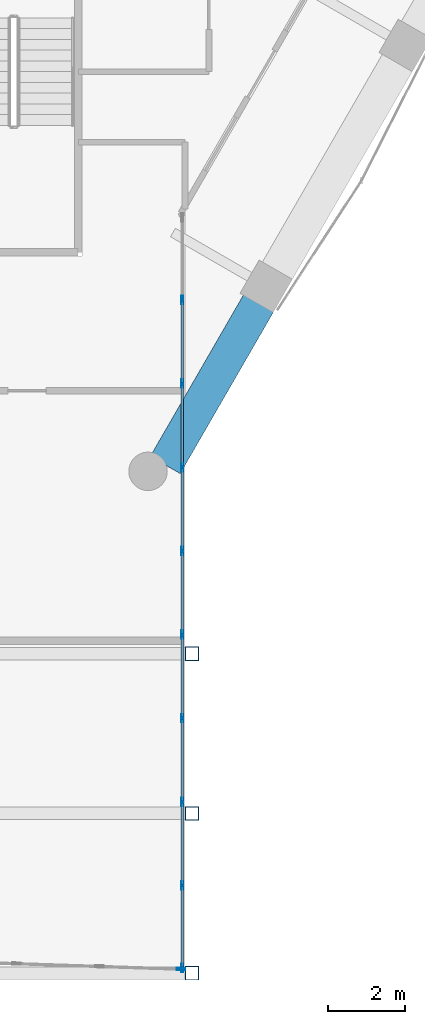
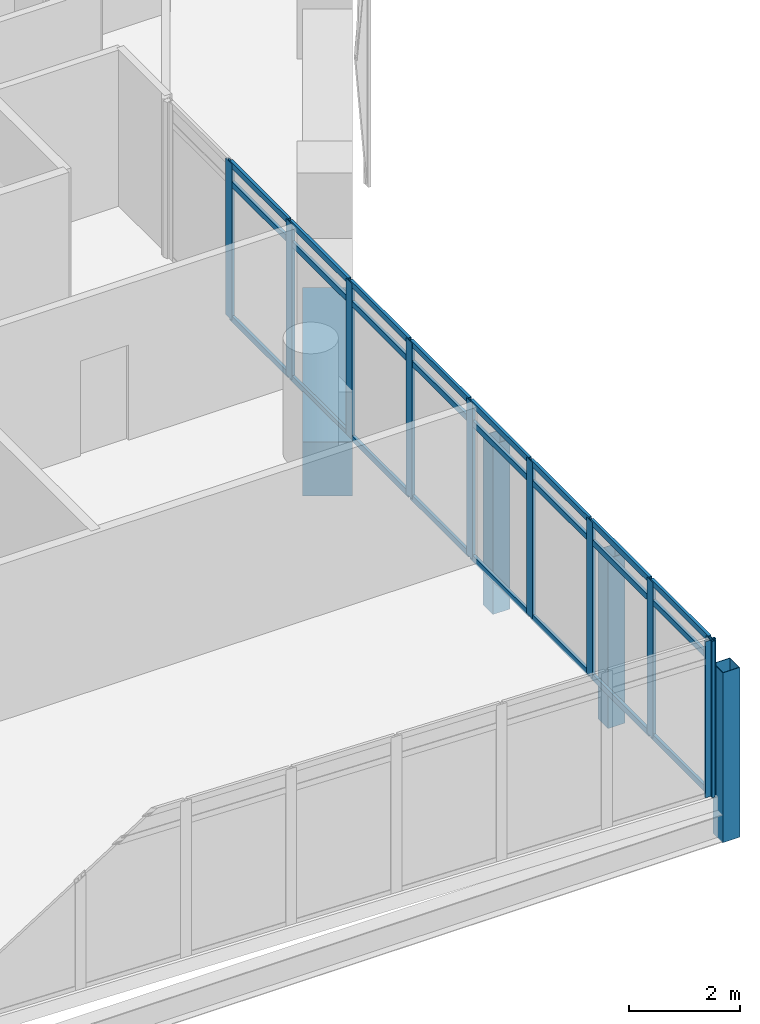
# One storey, part 11 of 37: 37 members, 1 beam, 2 elements without a shape of their own.
"""IFC4 building model written with IfcOpenShell, lengths in metres."""

from ifc_helpers import new_model, si_unit, direction, frame, origin, origin_2d, place, context, subcontext, project, spatial, rectangle, hollow_rectangle, extrude, material, material_profile, profile_set, type_object, element, aggregate, save


model = new_model("IFC4")

# Units and contexts
model_context = context("Model", 3, precision=1e-05, world=origin(), true_north=direction((0.0, 1.0)))
body_context = subcontext(model_context, "Body", "Model", "MODEL_VIEW")
ifc_project = project(units=[si_unit("LENGTHUNIT", "METRE"), si_unit("AREAUNIT", "SQUARE_METRE"), si_unit("VOLUMEUNIT", "CUBIC_METRE"), si_unit("PLANEANGLEUNIT", "RADIAN"), si_unit("MASSUNIT", "GRAM", prefix="KILO")], contexts=[model_context])

# Site, building, storey
site_placement = place(None, origin())
site = spatial("IfcSite", under=ifc_project, at=site_placement, CompositionType="ELEMENT")
building_placement = place(site_placement, origin())
building = spatial("IfcBuilding", under=site, at=building_placement, Name="Ostrander Bayou Hotel Tower", CompositionType="ELEMENT")
storey_placement = place(building_placement, frame((0.0, 0.0, 198.25)))
storey = spatial("IfcBuildingStorey", under=building, at=storey_placement, Name="L49", CompositionType="ELEMENT", Elevation=198.25)

# Curtain wall, member
ifc_material_1 = material(Name="Aluminium and clear glass", Category="aluminium")
curtain_wall_type = type_object("IfcCurtainWallType", Name="CW-BAR glazed wall", PredefinedType="NOTDEFINED", material=ifc_material_1)
curtain_wall_1_placement = place(storey_placement, origin())
curtain_wall_1 = element("IfcCurtainWall", 1, at=curtain_wall_1_placement, inside=storey, type_object=curtain_wall_type, Name="CW-BAR L49:SB4S:T", PredefinedType="NOTDEFINED")
ifc_material_2 = material(Name="Aluminium", Category="aluminium")
ifc_material_profile_1 = material_profile(ifc_material_2, hollow_rectangle(XDim=0.06005859375, YDim=0.219970703125, WallThickness=0.00390625, at=origin_2d()))
ifc_profile_set_1 = profile_set([ifc_material_profile_1], Name="Aluminium")
member_type_1 = type_object("IfcMemberType", Name="CW-BR mullion 60 x 220 mm", PredefinedType="MULLION", material=ifc_profile_set_1)
member_1_placement = place(storey_placement, frame((11.8271484375, -30.04638671875, 0.0), z_axis=(0.0, 0.0, 1.0), x_axis=(0.03350511268, 0.999438546097, 0.0)))
member_1 = element("IfcMember", 2, at=member_1_placement, type_object=member_type_1, Name="CW-BAR mullion 12", PredefinedType="MULLION", context=body_context, shape_type="SweptSolid", body=[
    extrude(hollow_rectangle(XDim=0.06005859375, YDim=0.219970703125, WallThickness=0.00390625, at=origin_2d()), origin(), (0.0, 0.0, 1.0), 3.449951171875),
])
aggregate(curtain_wall_1, [member_1])

# Curtain wall, members
curtain_wall_2_placement = place(storey_placement, origin())
curtain_wall_2 = element("IfcCurtainWall", 3, at=curtain_wall_2_placement, inside=storey, type_object=curtain_wall_type, Name="CW-BAR L49:SB4S:W", PredefinedType="NOTDEFINED")
member_2_placement = place(storey_placement, frame((11.857177734375, -12.638671875, 0.0), z_axis=(0.0, 0.0, 1.0), x_axis=(1.0, 0.0, 0.0)))
member_2 = element("IfcMember", 4, at=member_2_placement, type_object=member_type_1, Name="CW-BAR mullion 2", PredefinedType="MULLION", context=body_context, shape_type="SweptSolid", body=[
    extrude(hollow_rectangle(XDim=0.06005859375, YDim=0.219970703125, WallThickness=0.00390625, at=origin_2d()), origin(), (0.0, 0.0, 1.0), 3.449951171875),
])
member_3_placement = place(storey_placement, frame((11.857177734375, -14.81494140625, 0.0), z_axis=(0.0, 0.0, 1.0), x_axis=(1.0, 0.0, 0.0)))
member_3 = element("IfcMember", 5, at=member_3_placement, type_object=member_type_1, Name="CW-BAR mullion 3", PredefinedType="MULLION", context=body_context, shape_type="SweptSolid", body=[
    extrude(hollow_rectangle(XDim=0.06005859375, YDim=0.219970703125, WallThickness=0.00390625, at=origin_2d()), origin(), (0.0, 0.0, 1.0), 3.449951171875),
])
member_4_placement = place(storey_placement, frame((11.857177734375, -16.990966796875, 0.0), z_axis=(0.0, 0.0, 1.0), x_axis=(1.0, 0.0, 0.0)))
member_4 = element("IfcMember", 6, at=member_4_placement, type_object=member_type_1, Name="CW-BAR mullion 4", PredefinedType="MULLION", context=body_context, shape_type="SweptSolid", body=[
    extrude(hollow_rectangle(XDim=0.06005859375, YDim=0.219970703125, WallThickness=0.00390625, at=origin_2d()), origin(), (0.0, 0.0, 1.0), 3.449951171875),
])
member_5_placement = place(storey_placement, frame((11.857177734375, -19.1669921875, 0.0), z_axis=(0.0, 0.0, 1.0), x_axis=(1.0, 0.0, 0.0)))
member_5 = element("IfcMember", 7, at=member_5_placement, type_object=member_type_1, Name="CW-BAR mullion 5", PredefinedType="MULLION", context=body_context, shape_type="SweptSolid", body=[
    extrude(hollow_rectangle(XDim=0.06005859375, YDim=0.219970703125, WallThickness=0.00390625, at=origin_2d()), origin(), (0.0, 0.0, 1.0), 3.449951171875),
])
member_6_placement = place(storey_placement, frame((11.857177734375, -21.34326171875, 0.0), z_axis=(0.0, 0.0, 1.0), x_axis=(1.0, 0.0, 0.0)))
member_6 = element("IfcMember", 8, at=member_6_placement, type_object=member_type_1, Name="CW-BAR mullion 6", PredefinedType="MULLION", context=body_context, shape_type="SweptSolid", body=[
    extrude(hollow_rectangle(XDim=0.06005859375, YDim=0.219970703125, WallThickness=0.00390625, at=origin_2d()), origin(), (0.0, 0.0, 1.0), 3.449951171875),
])
member_7_placement = place(storey_placement, frame((11.857177734375, -23.519287109375, 0.0), z_axis=(0.0, 0.0, 1.0), x_axis=(1.0, 0.0, 0.0)))
member_7 = element("IfcMember", 9, at=member_7_placement, type_object=member_type_1, Name="CW-BAR mullion 7", PredefinedType="MULLION", context=body_context, shape_type="SweptSolid", body=[
    extrude(hollow_rectangle(XDim=0.06005859375, YDim=0.219970703125, WallThickness=0.00390625, at=origin_2d()), origin(), (0.0, 0.0, 1.0), 3.449951171875),
])
member_8_placement = place(storey_placement, frame((11.857177734375, -25.6953125, 0.0), z_axis=(0.0, 0.0, 1.0), x_axis=(1.0, 0.0, 0.0)))
member_8 = element("IfcMember", 10, at=member_8_placement, type_object=member_type_1, Name="CW-BAR mullion 8", PredefinedType="MULLION", context=body_context, shape_type="SweptSolid", body=[
    extrude(hollow_rectangle(XDim=0.06005859375, YDim=0.219970703125, WallThickness=0.00390625, at=origin_2d()), origin(), (0.0, 0.0, 1.0), 3.449951171875),
])
member_9_placement = place(storey_placement, frame((11.857177734375, -27.871337890625, 0.0), z_axis=(0.0, 0.0, 1.0), x_axis=(1.0, 0.0, 0.0)))
member_9 = element("IfcMember", 11, at=member_9_placement, type_object=member_type_1, Name="CW-BAR mullion 9", PredefinedType="MULLION", context=body_context, shape_type="SweptSolid", body=[
    extrude(hollow_rectangle(XDim=0.06005859375, YDim=0.219970703125, WallThickness=0.00390625, at=origin_2d()), origin(), (0.0, 0.0, 1.0), 3.449951171875),
])
member_10_placement = place(storey_placement, frame((11.857177734375, -30.017578125, 0.0), z_axis=(0.0, 0.0, 1.0), x_axis=(1.0, 0.0, 0.0)))
member_10 = element("IfcMember", 12, at=member_10_placement, type_object=member_type_1, Name="CW-BAR mullion 10", PredefinedType="MULLION", context=body_context, shape_type="SweptSolid", body=[
    extrude(hollow_rectangle(XDim=0.06005859375, YDim=0.219970703125, WallThickness=0.00390625, at=origin_2d()), origin(), (0.0, 0.0, 1.0), 3.449951171875),
])
ifc_material_3 = material(Name="Aluminium", Category="aluminium")
ifc_material_profile_2 = material_profile(ifc_material_3, hollow_rectangle(XDim=0.06005859375, YDim=0.1298828125, WallThickness=0.00390625, at=origin_2d()))
ifc_profile_set_2 = profile_set([ifc_material_profile_2], Name="Aluminium")
member_type_2 = type_object("IfcMemberType", Name="CW-BR transom 60 x 130 mm", PredefinedType="USERDEFINED", material=ifc_profile_set_2)
member_11_placement = place(storey_placement, frame((11.857177734375, -12.668701171875, 0.030029296875), z_axis=(0.0, -1.0, 0.0), x_axis=(1.0, 0.0, 0.0)))
member_11 = element("IfcMember", 13, at=member_11_placement, type_object=member_type_2, Name="CW-BAR transom 2.1", ObjectType="TRANSOM", PredefinedType="USERDEFINED", context=body_context, shape_type="SweptSolid", body=[
    extrude(hollow_rectangle(XDim=0.06005859375, YDim=0.1298828125, WallThickness=0.00390625, at=origin_2d()), origin(), (0.0, 0.0, 1.0), 2.1162109375),
])
member_12_placement = place(storey_placement, frame((11.857177734375, -12.668701171875, 3.0), z_axis=(0.0, -1.0, 0.0), x_axis=(1.0, 0.0, 0.0)))
member_12 = element("IfcMember", 14, at=member_12_placement, type_object=member_type_2, Name="CW-BAR transom 2.2", ObjectType="TRANSOM", PredefinedType="USERDEFINED", context=body_context, shape_type="SweptSolid", body=[
    extrude(hollow_rectangle(XDim=0.06005859375, YDim=0.1298828125, WallThickness=0.00390625, at=origin_2d()), origin(), (0.0, 0.0, 1.0), 2.1162109375),
])
member_13_placement = place(storey_placement, frame((11.857177734375, -12.668701171875, 3.419921875), z_axis=(0.0, -1.0, 0.0), x_axis=(1.0, 0.0, 0.0)))
member_13 = element("IfcMember", 15, at=member_13_placement, type_object=member_type_2, Name="CW-BAR transom 2.3", ObjectType="TRANSOM", PredefinedType="USERDEFINED", context=body_context, shape_type="SweptSolid", body=[
    extrude(hollow_rectangle(XDim=0.06005859375, YDim=0.1298828125, WallThickness=0.00390625, at=origin_2d()), origin(), (0.0, 0.0, 1.0), 2.1162109375),
])
member_14_placement = place(storey_placement, frame((11.857177734375, -14.844970703125, 0.030029296875), z_axis=(0.0, -1.0, 0.0), x_axis=(1.0, 0.0, 0.0)))
member_14 = element("IfcMember", 16, at=member_14_placement, type_object=member_type_2, Name="CW-BAR transom 3.1", ObjectType="TRANSOM", PredefinedType="USERDEFINED", context=body_context, shape_type="SweptSolid", body=[
    extrude(hollow_rectangle(XDim=0.06005859375, YDim=0.1298828125, WallThickness=0.00390625, at=origin_2d()), origin(), (0.0, 0.0, 1.0), 2.115966796875),
])
member_15_placement = place(storey_placement, frame((11.857177734375, -14.844970703125, 3.0), z_axis=(0.0, -1.0, 0.0), x_axis=(1.0, 0.0, 0.0)))
member_15 = element("IfcMember", 17, at=member_15_placement, type_object=member_type_2, Name="CW-BAR transom 3.2", ObjectType="TRANSOM", PredefinedType="USERDEFINED", context=body_context, shape_type="SweptSolid", body=[
    extrude(hollow_rectangle(XDim=0.06005859375, YDim=0.1298828125, WallThickness=0.00390625, at=origin_2d()), origin(), (0.0, 0.0, 1.0), 2.115966796875),
])
member_16_placement = place(storey_placement, frame((11.857177734375, -14.844970703125, 3.419921875), z_axis=(0.0, -1.0, 0.0), x_axis=(1.0, 0.0, 0.0)))
member_16 = element("IfcMember", 18, at=member_16_placement, type_object=member_type_2, Name="CW-BAR transom 3.3", ObjectType="TRANSOM", PredefinedType="USERDEFINED", context=body_context, shape_type="SweptSolid", body=[
    extrude(hollow_rectangle(XDim=0.06005859375, YDim=0.1298828125, WallThickness=0.00390625, at=origin_2d()), origin(), (0.0, 0.0, 1.0), 2.115966796875),
])
member_17_placement = place(storey_placement, frame((11.857177734375, -17.02099609375, 0.030029296875), z_axis=(0.0, -1.0, 0.0), x_axis=(1.0, 0.0, 0.0)))
member_17 = element("IfcMember", 19, at=member_17_placement, type_object=member_type_2, Name="CW-BAR transom 4.1", ObjectType="TRANSOM", PredefinedType="USERDEFINED", context=body_context, shape_type="SweptSolid", body=[
    extrude(hollow_rectangle(XDim=0.06005859375, YDim=0.1298828125, WallThickness=0.00390625, at=origin_2d()), origin(), (0.0, 0.0, 1.0), 2.115966796875),
])
member_18_placement = place(storey_placement, frame((11.857177734375, -17.02099609375, 3.0), z_axis=(0.0, -1.0, 0.0), x_axis=(1.0, 0.0, 0.0)))
member_18 = element("IfcMember", 20, at=member_18_placement, type_object=member_type_2, Name="CW-BAR transom 4.2", ObjectType="TRANSOM", PredefinedType="USERDEFINED", context=body_context, shape_type="SweptSolid", body=[
    extrude(hollow_rectangle(XDim=0.06005859375, YDim=0.1298828125, WallThickness=0.00390625, at=origin_2d()), origin(), (0.0, 0.0, 1.0), 2.115966796875),
])
member_19_placement = place(storey_placement, frame((11.857177734375, -17.02099609375, 3.419921875), z_axis=(0.0, -1.0, 0.0), x_axis=(1.0, 0.0, 0.0)))
member_19 = element("IfcMember", 21, at=member_19_placement, type_object=member_type_2, Name="CW-BAR transom 4.3", ObjectType="TRANSOM", PredefinedType="USERDEFINED", context=body_context, shape_type="SweptSolid", body=[
    extrude(hollow_rectangle(XDim=0.06005859375, YDim=0.1298828125, WallThickness=0.00390625, at=origin_2d()), origin(), (0.0, 0.0, 1.0), 2.115966796875),
])
member_20_placement = place(storey_placement, frame((11.857177734375, -19.197021484375, 0.030029296875), z_axis=(0.0, -1.0, 0.0), x_axis=(1.0, 0.0, 0.0)))
member_20 = element("IfcMember", 22, at=member_20_placement, type_object=member_type_2, Name="CW-BAR transom 5.1", ObjectType="TRANSOM", PredefinedType="USERDEFINED", context=body_context, shape_type="SweptSolid", body=[
    extrude(hollow_rectangle(XDim=0.06005859375, YDim=0.1298828125, WallThickness=0.00390625, at=origin_2d()), origin(), (0.0, 0.0, 1.0), 2.1162109375),
])
member_21_placement = place(storey_placement, frame((11.857177734375, -19.197021484375, 3.0), z_axis=(0.0, -1.0, 0.0), x_axis=(1.0, 0.0, 0.0)))
member_21 = element("IfcMember", 23, at=member_21_placement, type_object=member_type_2, Name="CW-BAR transom 5.2", ObjectType="TRANSOM", PredefinedType="USERDEFINED", context=body_context, shape_type="SweptSolid", body=[
    extrude(hollow_rectangle(XDim=0.06005859375, YDim=0.1298828125, WallThickness=0.00390625, at=origin_2d()), origin(), (0.0, 0.0, 1.0), 2.1162109375),
])
member_22_placement = place(storey_placement, frame((11.857177734375, -19.197021484375, 3.419921875), z_axis=(0.0, -1.0, 0.0), x_axis=(1.0, 0.0, 0.0)))
member_22 = element("IfcMember", 24, at=member_22_placement, type_object=member_type_2, Name="CW-BAR transom 5.3", ObjectType="TRANSOM", PredefinedType="USERDEFINED", context=body_context, shape_type="SweptSolid", body=[
    extrude(hollow_rectangle(XDim=0.06005859375, YDim=0.1298828125, WallThickness=0.00390625, at=origin_2d()), origin(), (0.0, 0.0, 1.0), 2.1162109375),
])
member_23_placement = place(storey_placement, frame((11.857177734375, -21.373046875, 0.030029296875), z_axis=(0.0, -1.0, 0.0), x_axis=(1.0, 0.0, 0.0)))
member_23 = element("IfcMember", 25, at=member_23_placement, type_object=member_type_2, Name="CW-BAR transom 6.1", ObjectType="TRANSOM", PredefinedType="USERDEFINED", context=body_context, shape_type="SweptSolid", body=[
    extrude(hollow_rectangle(XDim=0.06005859375, YDim=0.1298828125, WallThickness=0.00390625, at=origin_2d()), origin(), (0.0, 0.0, 1.0), 2.1162109375),
])
member_24_placement = place(storey_placement, frame((11.857177734375, -21.373046875, 3.0), z_axis=(0.0, -1.0, 0.0), x_axis=(1.0, 0.0, 0.0)))
member_24 = element("IfcMember", 26, at=member_24_placement, type_object=member_type_2, Name="CW-BAR transom 6.2", ObjectType="TRANSOM", PredefinedType="USERDEFINED", context=body_context, shape_type="SweptSolid", body=[
    extrude(hollow_rectangle(XDim=0.06005859375, YDim=0.1298828125, WallThickness=0.00390625, at=origin_2d()), origin(), (0.0, 0.0, 1.0), 2.1162109375),
])
member_25_placement = place(storey_placement, frame((11.857177734375, -21.373046875, 3.419921875), z_axis=(0.0, -1.0, 0.0), x_axis=(1.0, 0.0, 0.0)))
member_25 = element("IfcMember", 27, at=member_25_placement, type_object=member_type_2, Name="CW-BAR transom 6.3", ObjectType="TRANSOM", PredefinedType="USERDEFINED", context=body_context, shape_type="SweptSolid", body=[
    extrude(hollow_rectangle(XDim=0.06005859375, YDim=0.1298828125, WallThickness=0.00390625, at=origin_2d()), origin(), (0.0, 0.0, 1.0), 2.1162109375),
])
member_26_placement = place(storey_placement, frame((11.857177734375, -23.54931640625, 0.030029296875), z_axis=(0.0, -1.0, 0.0), x_axis=(1.0, 0.0, 0.0)))
member_26 = element("IfcMember", 28, at=member_26_placement, type_object=member_type_2, Name="CW-BAR transom 7.1", ObjectType="TRANSOM", PredefinedType="USERDEFINED", context=body_context, shape_type="SweptSolid", body=[
    extrude(hollow_rectangle(XDim=0.06005859375, YDim=0.1298828125, WallThickness=0.00390625, at=origin_2d()), origin(), (0.0, 0.0, 1.0), 2.115966796875),
])
member_27_placement = place(storey_placement, frame((11.857177734375, -23.54931640625, 3.0), z_axis=(0.0, -1.0, 0.0), x_axis=(1.0, 0.0, 0.0)))
member_27 = element("IfcMember", 29, at=member_27_placement, type_object=member_type_2, Name="CW-BAR transom 7.2", ObjectType="TRANSOM", PredefinedType="USERDEFINED", context=body_context, shape_type="SweptSolid", body=[
    extrude(hollow_rectangle(XDim=0.06005859375, YDim=0.1298828125, WallThickness=0.00390625, at=origin_2d()), origin(), (0.0, 0.0, 1.0), 2.115966796875),
])
member_28_placement = place(storey_placement, frame((11.857177734375, -23.54931640625, 3.419921875), z_axis=(0.0, -1.0, 0.0), x_axis=(1.0, 0.0, 0.0)))
member_28 = element("IfcMember", 30, at=member_28_placement, type_object=member_type_2, Name="CW-BAR transom 7.3", ObjectType="TRANSOM", PredefinedType="USERDEFINED", context=body_context, shape_type="SweptSolid", body=[
    extrude(hollow_rectangle(XDim=0.06005859375, YDim=0.1298828125, WallThickness=0.00390625, at=origin_2d()), origin(), (0.0, 0.0, 1.0), 2.115966796875),
])
member_29_placement = place(storey_placement, frame((11.857177734375, -25.725341796875, 0.030029296875), z_axis=(0.0, -1.0, 0.0), x_axis=(1.0, 0.0, 0.0)))
member_29 = element("IfcMember", 31, at=member_29_placement, type_object=member_type_2, Name="CW-BAR transom 8.1", ObjectType="TRANSOM", PredefinedType="USERDEFINED", context=body_context, shape_type="SweptSolid", body=[
    extrude(hollow_rectangle(XDim=0.06005859375, YDim=0.1298828125, WallThickness=0.00390625, at=origin_2d()), origin(), (0.0, 0.0, 1.0), 2.115966796875),
])
member_30_placement = place(storey_placement, frame((11.857177734375, -25.725341796875, 3.0), z_axis=(0.0, -1.0, 0.0), x_axis=(1.0, 0.0, 0.0)))
member_30 = element("IfcMember", 32, at=member_30_placement, type_object=member_type_2, Name="CW-BAR transom 8.2", ObjectType="TRANSOM", PredefinedType="USERDEFINED", context=body_context, shape_type="SweptSolid", body=[
    extrude(hollow_rectangle(XDim=0.06005859375, YDim=0.1298828125, WallThickness=0.00390625, at=origin_2d()), origin(), (0.0, 0.0, 1.0), 2.115966796875),
])
member_31_placement = place(storey_placement, frame((11.857177734375, -25.725341796875, 3.419921875), z_axis=(0.0, -1.0, 0.0), x_axis=(1.0, 0.0, 0.0)))
member_31 = element("IfcMember", 33, at=member_31_placement, type_object=member_type_2, Name="CW-BAR transom 8.3", ObjectType="TRANSOM", PredefinedType="USERDEFINED", context=body_context, shape_type="SweptSolid", body=[
    extrude(hollow_rectangle(XDim=0.06005859375, YDim=0.1298828125, WallThickness=0.00390625, at=origin_2d()), origin(), (0.0, 0.0, 1.0), 2.115966796875),
])
member_32_placement = place(storey_placement, frame((11.857177734375, -27.9013671875, 0.030029296875), z_axis=(0.0, -1.0, 0.0), x_axis=(1.0, 0.0, 0.0)))
member_32 = element("IfcMember", 34, at=member_32_placement, type_object=member_type_2, Name="CW-BAR transom 9.1", ObjectType="TRANSOM", PredefinedType="USERDEFINED", context=body_context, shape_type="SweptSolid", body=[
    extrude(hollow_rectangle(XDim=0.06005859375, YDim=0.1298828125, WallThickness=0.00390625, at=origin_2d()), origin(), (0.0, 0.0, 1.0), 2.086181640625),
])
member_33_placement = place(storey_placement, frame((11.857177734375, -27.9013671875, 3.0), z_axis=(0.0, -1.0, 0.0), x_axis=(1.0, 0.0, 0.0)))
member_33 = element("IfcMember", 35, at=member_33_placement, type_object=member_type_2, Name="CW-BAR transom 9.2", ObjectType="TRANSOM", PredefinedType="USERDEFINED", context=body_context, shape_type="SweptSolid", body=[
    extrude(hollow_rectangle(XDim=0.06005859375, YDim=0.1298828125, WallThickness=0.00390625, at=origin_2d()), origin(), (0.0, 0.0, 1.0), 2.086181640625),
])
member_34_placement = place(storey_placement, frame((11.857177734375, -27.9013671875, 3.419921875), z_axis=(0.0, -1.0, 0.0), x_axis=(1.0, 0.0, 0.0)))
member_34 = element("IfcMember", 36, at=member_34_placement, type_object=member_type_2, Name="CW-BAR transom 9.3", ObjectType="TRANSOM", PredefinedType="USERDEFINED", context=body_context, shape_type="SweptSolid", body=[
    extrude(hollow_rectangle(XDim=0.06005859375, YDim=0.1298828125, WallThickness=0.00390625, at=origin_2d()), origin(), (0.0, 0.0, 1.0), 2.086181640625),
])
aggregate(curtain_wall_2, [member_2, member_3, member_4, member_5, member_6, member_7, member_8, member_9, member_10, member_11, member_12, member_13, member_14, member_15, member_16, member_17, member_18, member_19, member_20, member_21, member_22, member_23, member_24, member_25, member_26, member_27, member_28, member_29, member_30, member_31, member_32, member_33, member_34])

# Beam
ifc_material_4 = material(Name="Concrete f'c 60 MPa", Category="concrete")
ifc_material_profile_3 = material_profile(ifc_material_4, rectangle(XDim=0.89990234375, YDim=1.199951171875, at=origin_2d()))
ifc_profile_set_3 = profile_set([ifc_material_profile_3], Name="Concrete f'c 60 MPa")
beam_type = type_object("IfcBeamType", Name="SP3 spandrel beam 900 x 1200 mm f'c 60 MPa", PredefinedType="SPANDREL", material=ifc_profile_set_3)
beam_placement = place(storey_placement, frame((11.41357421875, -16.93115234375, -0.60009765625), z_axis=(0.499974254476, 0.866040267459, 0.0), x_axis=(-0.866040267459, 0.499974254476, 0.0)))
element("IfcBeam", 37, at=beam_placement, inside=storey, type_object=beam_type, Name="SP3 L49 SE-1", PredefinedType="SPANDREL", context=body_context, shape_type="SweptSolid", body=[
    extrude(rectangle(XDim=0.89990234375, YDim=1.199951171875, at=origin_2d()), origin(), (0.0, 0.0, 1.0), 4.867919921875),
])

# Members
ifc_material_5 = material(Name="Steel ASTM A500 Gr C", Category="steel")
ifc_material_profile_4 = material_profile(ifc_material_5, hollow_rectangle(XDim=0.355712890625, YDim=0.355712890625, WallThickness=0.01171875, at=origin_2d()))
ifc_profile_set_4 = profile_set([ifc_material_profile_4], Name="Steel ASTM A500 Gr C")
member_type_3 = type_object("IfcMemberType", Name="TH2 bar hanger HSS14x14x1/2", PredefinedType="POST", material=ifc_profile_set_4)
for number, where, z_axis, x_axis, name in (
    (38, (12.110107421875, -21.840576171875, -0.9111328125), (0.0, 0.0, 1.0), (1.0, 0.0, 0.0), "TH2 SB4SB H1-2"),
    (39, (12.110107421875, -25.995361328125, -0.9111328125), (0.0, 0.0, 1.0), (1.0, 0.0, 0.0), "TH2 SB4SB H2-2"),
    (40, (12.110107421875, -30.14990234375, -0.9111328125), (0.0, 0.0, 1.0), (1.0, 0.0, 0.0), "TH2 SB4SB H3-2"),
):
    element("IfcMember", number, at=place(storey_placement, frame(where, z_axis=z_axis, x_axis=x_axis)), inside=storey, type_object=member_type_3, Name=name, PredefinedType="POST", context=body_context, shape_type="SweptSolid", body=[
        extrude(hollow_rectangle(XDim=0.355712890625, YDim=0.355712890625, WallThickness=0.01171875, at=origin_2d()), origin(), (0.0, 0.0, 1.0), 3.75),
    ])

save(model, "model.ifc")
